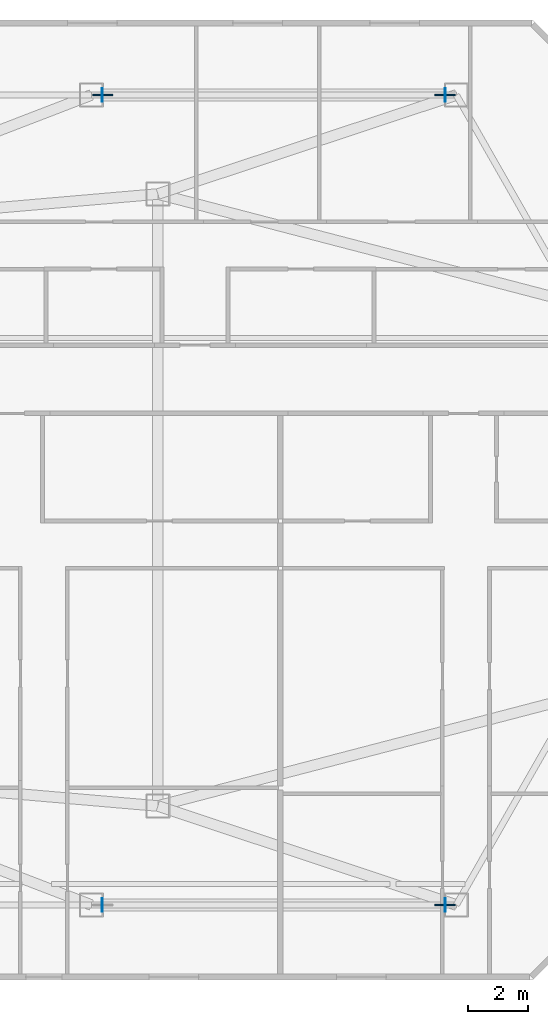
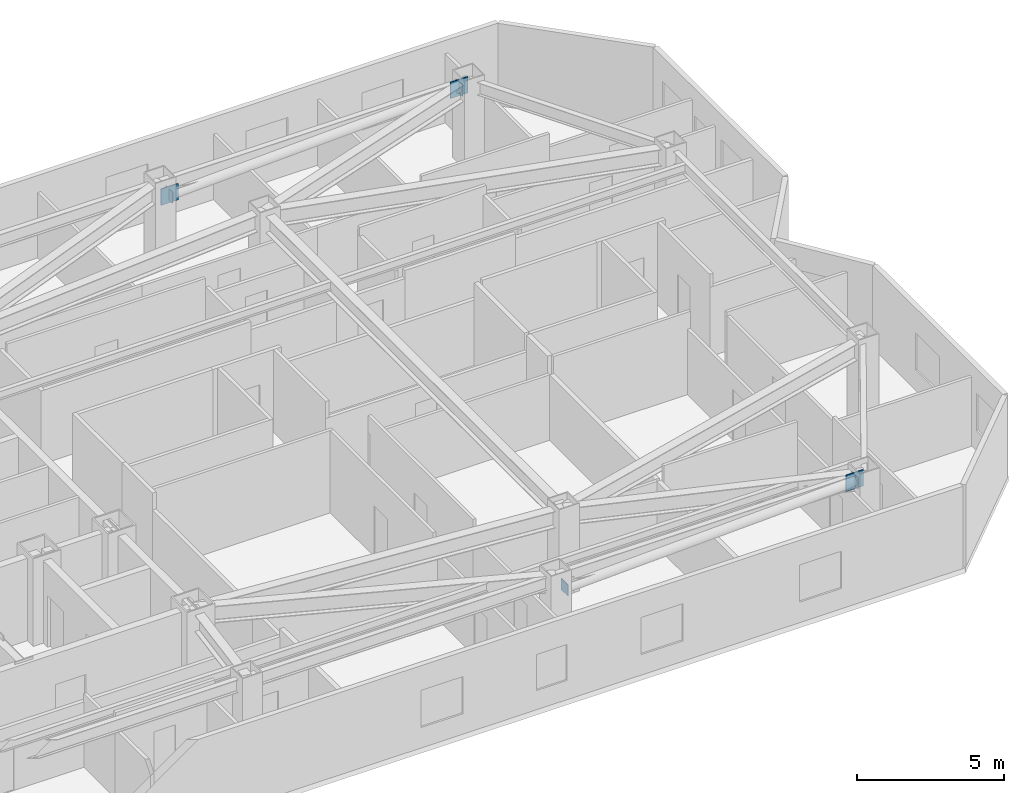
# One storey, part 9 of 15: 7 plates.
"""IFC4 building model written with IfcOpenShell, lengths in metres."""

from ifc_helpers import new_model, si_unit, direction, frame, origin, origin_2d, place, context, subcontext, project, spatial, rectangle, extrude, material, layer, layer_set, type_object, element, save


model = new_model("IFC4")

# Units and contexts
model_context = context("Model", 3, precision=1e-05, world=origin(), true_north=direction((0.0, 1.0)))
body_context = subcontext(model_context, "Body", "Model", "MODEL_VIEW")
ifc_project = project(units=[si_unit("LENGTHUNIT", "METRE"), si_unit("AREAUNIT", "SQUARE_METRE"), si_unit("VOLUMEUNIT", "CUBIC_METRE"), si_unit("PLANEANGLEUNIT", "RADIAN"), si_unit("MASSUNIT", "GRAM", prefix="KILO")], contexts=[model_context])

# Site, building, storey
site_placement = place(None, origin())
site = spatial("IfcSite", under=ifc_project, at=site_placement, CompositionType="ELEMENT")
building_placement = place(site_placement, origin())
building = spatial("IfcBuilding", under=site, at=building_placement, Name="Khamvora Tower", CompositionType="ELEMENT")
storey_placement = place(building_placement, frame((0.0, 0.0, 220.85009765625)))
storey = spatial("IfcBuildingStorey", under=building, at=storey_placement, Name="L56", CompositionType="ELEMENT", Elevation=220.85009765625)

# Plates
ifc_material_1 = material(Name="Steel S355", Category="steel")
ifc_layer_1 = layer(ifc_material_1, 0.02490234375)
ifc_layer_set_1 = layer_set([ifc_layer_1], Name="Steel S355")
plate_type_1 = type_object("IfcPlateType", Name="PL-CAP-25", PredefinedType="SHEET", material=ifc_layer_set_1)
for number, where, z_axis, x_axis, name in (
    (1, (51.450927734375, 14.5, 2.4619140625), (0.0, 0.0, 1.0), (1.0, 0.0, 0.0), "L56 hollow section steel end cap plate 1134"),
    (2, (62.882080078125, 14.5, 2.9150390625), (0.0, 0.0, 1.0), (1.0, 0.0, 0.0), "L56 hollow section steel end cap plate 1135"),
    (3, (51.450927734375, 41.5, 2.4619140625), (0.0, 0.0, 1.0), (1.0, 0.0, 0.0), "L56 hollow section steel end cap plate 1136"),
    (4, (62.882080078125, 41.5, 2.9150390625), (0.0, 0.0, 1.0), (1.0, 0.0, 0.0), "L56 hollow section steel end cap plate 1137"),
):
    element("IfcPlate", number, at=place(storey_placement, frame(where, z_axis=z_axis, x_axis=x_axis)), inside=storey, type_object=plate_type_1, Name=name, PredefinedType="SHEET", context=body_context, shape_type="SweptSolid", body=[
        extrude(rectangle(XDim=0.02490234375, YDim=0.466064453125, at=origin_2d()), origin(), (0.0, 0.0, 1.0), 0.466064453125),
    ])
ifc_material_2 = material(Name="Steel S460", Category="steel")
ifc_layer_2 = layer(ifc_material_2, 0.0400390625)
ifc_layer_set_2 = layer_set([ifc_layer_2], Name="Steel S460")
plate_type_2 = type_object("IfcPlateType", Name="PLT-GUS-40", PredefinedType="SHEET", material=ifc_layer_set_2)
for number, where, z_axis, x_axis, name in (
    (5, (62.8701171875, 14.5, 2.80810546875), (0.0, 0.0, 1.0), (1.0, 0.0, 0.0), "L56 brace connection node gusset plate 0378"),
    (6, (51.462890625, 41.5, 2.35498046875), (0.0, 0.0, 1.0), (1.0, 0.0, 0.0), "L56 brace connection node gusset plate 0379"),
    (7, (62.8701171875, 41.5, 2.80810546875), (0.0, 0.0, 1.0), (1.0, 0.0, 0.0), "L56 brace connection node gusset plate 0380"),
):
    element("IfcPlate", number, at=place(storey_placement, frame(where, z_axis=z_axis, x_axis=x_axis)), inside=storey, type_object=plate_type_2, Name=name, PredefinedType="SHEET", context=body_context, shape_type="SweptSolid", body=[
        extrude(rectangle(XDim=0.679931640625, YDim=0.0400390625, at=origin_2d()), origin(), (0.0, 0.0, 1.0), 0.679931640625),
    ])

save(model, "model.ifc")
